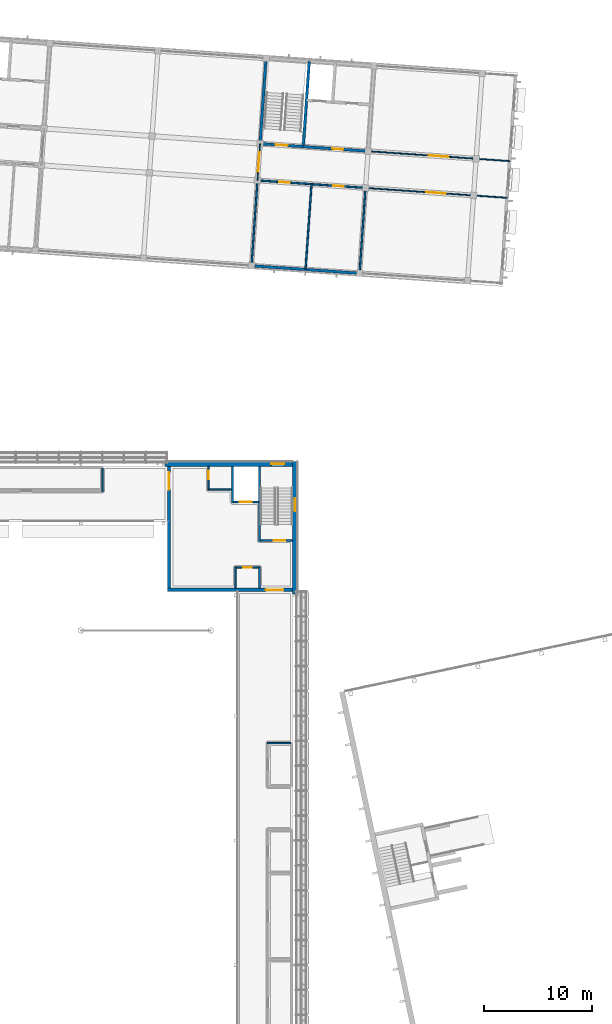
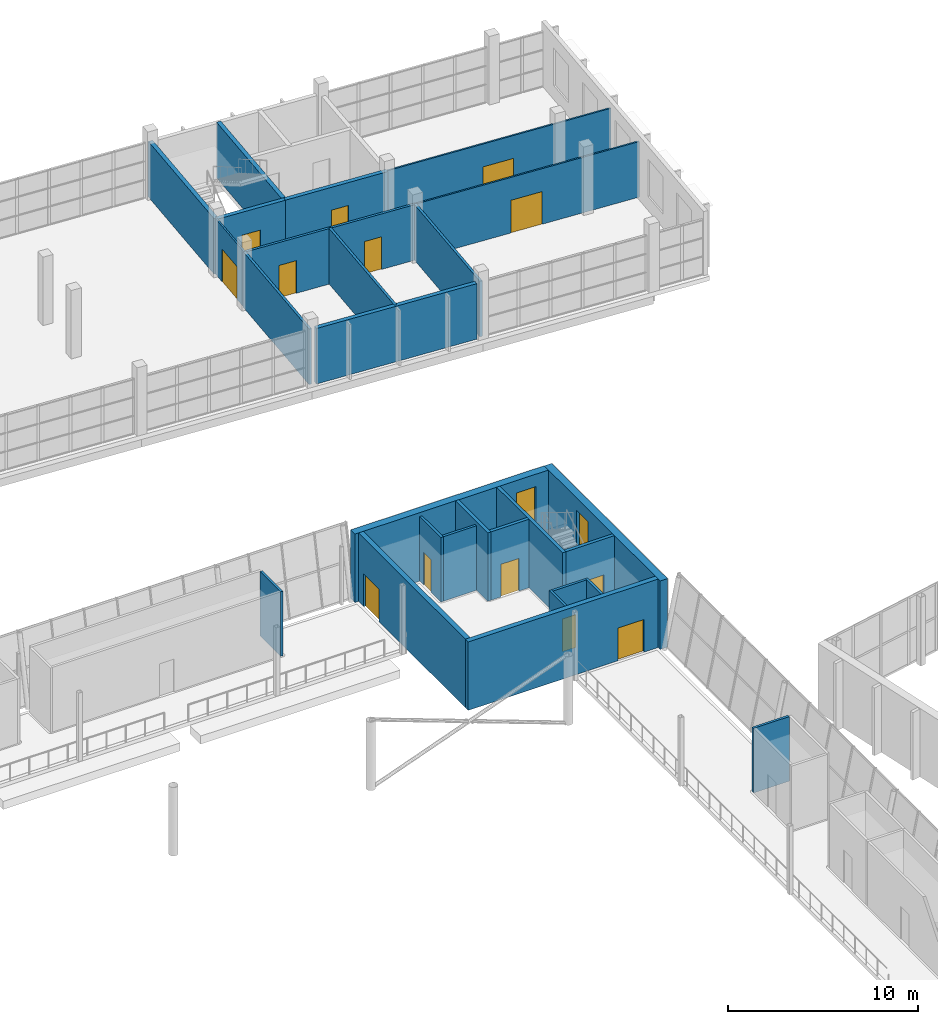
# One storey, part 77 of 115: 27 walls, 13 doors, 2 windows, 15 openings.
"""IFC4 building model written with IfcOpenShell, lengths in metres."""

from ifc_helpers import new_model, si_unit, direction, frame, frame_2d, origin, place, context, subcontext, project, spatial, rectangle, extrude, material, layer, layer_set, type_object, element, fill, save


model = new_model("IFC4")

# Units and contexts
model_context = context("Model", 3, precision=1e-05, world=origin(), true_north=direction((0.0, 1.0)))
body_context = subcontext(model_context, "Body", "Model", "MODEL_VIEW")
ifc_project = project(units=[si_unit("LENGTHUNIT", "METRE"), si_unit("AREAUNIT", "SQUARE_METRE"), si_unit("VOLUMEUNIT", "CUBIC_METRE"), si_unit("PLANEANGLEUNIT", "RADIAN"), si_unit("MASSUNIT", "GRAM", prefix="KILO")], contexts=[model_context])

# Site, building, storey
site_placement = place(None, origin())
site = spatial("IfcSite", under=ifc_project, at=site_placement, CompositionType="ELEMENT")
building_placement = place(site_placement, origin())
building = spatial("IfcBuilding", under=site, at=building_placement, Name="Windward Yard Aquatics Centre", CompositionType="ELEMENT")
storey_placement = place(building_placement, frame((0.0, 0.0, 5.0)))
storey = spatial("IfcBuildingStorey", under=building, at=storey_placement, Name="L01", CompositionType="ELEMENT", Elevation=5.0)

# Wall
ifc_material_1 = material(Name="Concrete C35/45", Category="concrete")
ifc_layer_1 = layer(ifc_material_1, 0.199951171875)
ifc_layer_set_1 = layer_set([ifc_layer_1], Name="H Enclosure Wall Concrete C35/45 200")
wall_type_1 = type_object("IfcWallType", Name="H Enclosure Wall Concrete C35/45 200", PredefinedType="SOLIDWALL", material=ifc_layer_set_1)
wall_1_placement = place(storey_placement, frame((148.5, 95.550048828125, 0.0), z_axis=(0.0, 0.0, 1.0), x_axis=(0.0, -1.0, 0.0)))
element("IfcWall", 1, at=wall_1_placement, inside=storey, type_object=wall_type_1, Name="L01 W1 enclosure wall NE", PredefinedType="SOLIDWALL", context=body_context, shape_type="SweptSolid", body=[
    extrude(rectangle(XDim=6.949951171875, YDim=0.199951171875, at=frame_2d((3.47509765625, 0.0))), origin(), (0.0, 0.0, 1.0), 4.39990234375),
])

# Wall, opening, door
wall_2_placement = place(storey_placement, frame((151.550048828125, 88.699951171875, 0.0), z_axis=(0.0, 0.0, 1.0), x_axis=(-1.0, 0.0, 0.0)))
wall_2 = element("IfcWall", 2, at=wall_2_placement, inside=storey, type_object=wall_type_1, Name="L01 W2 enclosure wall NE", PredefinedType="SOLIDWALL", context=body_context, shape_type="SweptSolid", body=[
    extrude(rectangle(XDim=2.949951171875, YDim=0.199951171875, at=frame_2d((1.47509765625, 0.0))), origin(), (0.0, 0.0, 1.0), 4.39990234375),
])
opening_1_placement = place(wall_2_placement, frame((0.64990234375, 0.0, 0.0)))
opening_1 = element("IfcOpeningElement", 3, at=opening_1_placement, cuts=wall_2, Name="Opening H1019", PredefinedType="OPENING", context=body_context, shape_type="SweptSolid", body=[
    extrude(rectangle(XDim=1.10009765625, YDim=2.10009765625, at=frame_2d((0.550048828125, 1.050048828125))), frame((0.0, 0.10986328125, 0.0), z_axis=(0.0, -1.0, 0.0), x_axis=(1.0, 0.0, 0.0)), (0.0, 0.0, 1.0), 0.219970703125),
])
ifc_material_2 = material(Name="Steel and timber door leaf", Category="steel")
door_type_1 = type_object("IfcDoorType", Name="H Door Single 1100 x 2100 FD60", OperationType="NOTDEFINED", PredefinedType="DOOR", material=ifc_material_2)
door_1_placement = place(opening_1_placement, origin())
door_1 = element("IfcDoor", 4, at=door_1_placement, inside=storey, type_object=door_type_1, Name="L01 stair NE door", OperationType="SINGLE_SWING_RIGHT", OverallHeight=2.10009765625, OverallWidth=1.10009765625, PredefinedType="DOOR", context=body_context, shape_type="SweptSolid", body=[
    extrude(rectangle(XDim=1.10009765625, YDim=2.10009765625, at=frame_2d((0.550048828125, 1.050048828125))), frame((0.0, 0.02490234375, 0.0), z_axis=(0.0, -1.0, 0.0), x_axis=(1.0, 0.0, 0.0)), (0.0, 0.0, 1.0), 0.050048828125),
])
fill(opening_1, door_1)

# Wall
wall_3_placement = place(storey_placement, frame((146.0, 95.550048828125, 0.0), z_axis=(0.0, 0.0, 1.0), x_axis=(0.0, -1.0, 0.0)))
element("IfcWall", 5, at=wall_3_placement, inside=storey, type_object=wall_type_1, Name="L01 W3 enclosure wall NE", PredefinedType="SOLIDWALL", context=body_context, shape_type="SweptSolid", body=[
    extrude(rectangle(XDim=3.400146484375, YDim=0.199951171875, at=frame_2d((1.7001953125, 0.0))), origin(), (0.0, 0.0, 1.0), 4.39990234375),
])

# Wall, opening, door
wall_4_placement = place(storey_placement, frame((148.39990234375, 92.25, 0.0), z_axis=(0.0, 0.0, 1.0), x_axis=(-1.0, 0.0, 0.0)))
wall_4 = element("IfcWall", 6, at=wall_4_placement, inside=storey, type_object=wall_type_1, Name="L01 W4 enclosure wall NE", PredefinedType="SOLIDWALL", context=body_context, shape_type="SweptSolid", body=[
    extrude(rectangle(XDim=2.2998046875, YDim=0.199951171875, at=frame_2d((1.14990234375, 0.0))), origin(), (0.0, 0.0, 1.0), 4.39990234375),
])
opening_2_placement = place(wall_4_placement, frame((0.60009765625, 0.0, 0.0)))
opening_2 = element("IfcOpeningElement", 7, at=opening_2_placement, cuts=wall_4, Name="Opening H1020", PredefinedType="OPENING", context=body_context, shape_type="SweptSolid", body=[
    extrude(rectangle(XDim=1.10009765625, YDim=2.10009765625, at=frame_2d((0.550048828125, 1.050048828125))), frame((0.0, 0.10986328125, 0.0), z_axis=(0.0, -1.0, 0.0), x_axis=(1.0, 0.0, 0.0)), (0.0, 0.0, 1.0), 0.219970703125),
])
ifc_material_3 = material(Name="Stainless steel 1.4301", Category="steel")
door_type_2 = type_object("IfcDoorType", Name="H Lift Landing Door 1100 x 2100", OperationType="DOUBLE_DOOR_SLIDING", PredefinedType="DOOR", material=ifc_material_3)
door_2_placement = place(opening_2_placement, origin())
door_2 = element("IfcDoor", 8, at=door_2_placement, inside=storey, type_object=door_type_2, Name="Lift NE landing door L01", OperationType="DOUBLE_DOOR_SLIDING", OverallHeight=2.10009765625, OverallWidth=1.10009765625, PredefinedType="DOOR", context=body_context, shape_type="SweptSolid", body=[
    extrude(rectangle(XDim=1.10009765625, YDim=2.10009765625, at=frame_2d((0.550048828125, 1.050048828125))), frame((0.0, 0.02490234375, 0.0), z_axis=(0.0, -1.0, 0.0), x_axis=(1.0, 0.0, 0.0)), (0.0, 0.0, 1.0), 0.050048828125),
])
fill(opening_2, door_2)

# Wall
ifc_material_4 = material(Name="Blockwork 150 mm", Category="masonry")
ifc_layer_2 = layer(ifc_material_4, 0.14990234375)
ifc_layer_set_2 = layer_set([ifc_layer_2], Name="H Partition Blockwork 150")
wall_type_2 = type_object("IfcWallType", Name="H Partition Blockwork 150", PredefinedType="PARTITIONING", material=ifc_layer_set_2)
wall_5_placement = place(storey_placement, frame((145.89990234375, 93.39990234375, 0.0), z_axis=(0.0, 0.0, 1.0), x_axis=(-1.0, 0.0, 0.0)))
element("IfcWall", 9, at=wall_5_placement, inside=storey, type_object=wall_type_2, Name="L01 R1N riser wall NE", PredefinedType="PARTITIONING", context=body_context, shape_type="SweptSolid", body=[
    extrude(rectangle(XDim=2.02490234375, YDim=0.14990234375, at=frame_2d((1.012451171875, 0.0))), origin(), (0.0, 0.0, 1.0), 4.14990234375),
])

# Wall, opening, door
wall_6_placement = place(storey_placement, frame((143.800048828125, 95.550048828125, 0.0), z_axis=(0.0, 0.0, 1.0), x_axis=(0.0, -1.0, 0.0)))
wall_6 = element("IfcWall", 10, at=wall_6_placement, inside=storey, type_object=wall_type_2, Name="L01 R1E riser wall NE", PredefinedType="PARTITIONING", context=body_context, shape_type="SweptSolid", body=[
    extrude(rectangle(XDim=2.22509765625, YDim=0.14990234375, at=frame_2d((1.112548828125, 0.0))), origin(), (0.0, 0.0, 1.0), 4.14990234375),
])
opening_3_placement = place(wall_6_placement, frame((0.39990234375, 0.0, 0.0)))
opening_3 = element("IfcOpeningElement", 11, at=opening_3_placement, cuts=wall_6, Name="Opening H1021", PredefinedType="OPENING", context=body_context, shape_type="SweptSolid", body=[
    extrude(rectangle(XDim=0.800048828125, YDim=2.10009765625, at=frame_2d((0.39990234375, 1.050048828125))), frame((0.0, 0.0849609375, 0.0), z_axis=(0.0, -1.0, 0.0), x_axis=(1.0, 0.0, 0.0)), (0.0, 0.0, 1.0), 0.169921875),
])
door_type_3 = type_object("IfcDoorType", Name="H Door Riser 800 x 2100 FD60", OperationType="NOTDEFINED", PredefinedType="DOOR", material=ifc_material_2)
door_3_placement = place(opening_3_placement, origin())
door_3 = element("IfcDoor", 12, at=door_3_placement, inside=storey, type_object=door_type_3, Name="L01 electrical riser NE door", OperationType="SINGLE_SWING_LEFT", OverallHeight=2.10009765625, OverallWidth=0.800048828125, PredefinedType="DOOR", context=body_context, shape_type="SweptSolid", body=[
    extrude(rectangle(XDim=0.800048828125, YDim=2.10009765625, at=frame_2d((0.39990234375, 1.050048828125))), frame((0.0, 0.02490234375, 0.0), z_axis=(0.0, -1.0, 0.0), x_axis=(1.0, 0.0, 0.0)), (0.0, 0.0, 1.0), 0.050048828125),
])
fill(opening_3, door_3)

wall_7_placement = place(storey_placement, frame((148.425048828125, 86.199951171875, 0.0), z_axis=(0.0, 0.0, 1.0), x_axis=(-1.0, 0.0, 0.0)))
wall_7 = element("IfcWall", 13, at=wall_7_placement, inside=storey, type_object=wall_type_2, Name="L01 R2S riser wall NE", PredefinedType="PARTITIONING", context=body_context, shape_type="SweptSolid", body=[
    extrude(rectangle(XDim=2.050048828125, YDim=0.14990234375, at=frame_2d((1.02490234375, 0.0))), origin(), (0.0, 0.0, 1.0), 4.14990234375),
])
opening_4_placement = place(wall_7_placement, frame((0.625, 0.0, 0.0)))
opening_4 = element("IfcOpeningElement", 14, at=opening_4_placement, cuts=wall_7, Name="Opening H1022", PredefinedType="OPENING", context=body_context, shape_type="SweptSolid", body=[
    extrude(rectangle(XDim=0.800048828125, YDim=2.10009765625, at=frame_2d((0.39990234375, 1.050048828125))), frame((0.0, 0.0849609375, 0.0), z_axis=(0.0, -1.0, 0.0), x_axis=(1.0, 0.0, 0.0)), (0.0, 0.0, 1.0), 0.169921875),
])
door_4_placement = place(opening_4_placement, origin())
door_4 = element("IfcDoor", 15, at=door_4_placement, inside=storey, type_object=door_type_3, Name="L01 communications riser NE door", OperationType="SINGLE_SWING_RIGHT", OverallHeight=2.10009765625, OverallWidth=0.800048828125, PredefinedType="DOOR", context=body_context, shape_type="SweptSolid", body=[
    extrude(rectangle(XDim=0.800048828125, YDim=2.10009765625, at=frame_2d((0.39990234375, 1.050048828125))), frame((0.0, 0.02490234375, 0.0), z_axis=(0.0, -1.0, 0.0), x_axis=(1.0, 0.0, 0.0)), (0.0, 0.0, 1.0), 0.050048828125),
])
fill(opening_4, door_4)

# Walls
for number, where, z_axis, x_axis, name in (
    (16, (148.5, 86.27490234375, 0.0), (0.0, 0.0, 1.0), (0.0, -1.0, 0.0), "L01 R2W riser wall NE"),
    (17, (146.300048828125, 86.27490234375, 0.0), (0.0, 0.0, 1.0), (0.0, -1.0, 0.0), "L01 R2E riser wall NE"),
):
    element("IfcWall", number, at=place(storey_placement, frame(where, z_axis=z_axis, x_axis=x_axis)), inside=storey, type_object=wall_type_2, Name=name, PredefinedType="PARTITIONING", context=body_context, shape_type="SweptSolid", body=[
        extrude(rectangle(XDim=1.974853515625, YDim=0.14990234375, at=frame_2d((0.9873046875, 0.0))), origin(), (0.0, 0.0, 1.0), 4.14990234375),
    ])
for number, where, z_axis, x_axis, name in (
    (18, (134.0, 95.39990234375, 0.0), (0.0, 0.0, 1.0), (0.0, -1.0, 0.0), "L01 partition Cafe Counter"),
    (19, (151.39990234375, 70.0, 0.0), (0.0, 0.0, 1.0), (-1.0, 0.0, 0.0), "L01 partition Cleaner's Store"),
):
    element("IfcWall", number, at=place(storey_placement, frame(where, z_axis=z_axis, x_axis=x_axis)), inside=storey, type_object=wall_type_2, Name=name, PredefinedType="PARTITIONING", context=body_context, shape_type="SweptSolid", body=[
        extrude(rectangle(XDim=2.1748046875, YDim=0.14990234375, at=frame_2d((1.08740234375, 0.0))), origin(), (0.0, 0.0, 1.0), 4.14990234375),
    ])

# Wall, opening, window
ifc_material_5 = material(Name="Natural stone cladding", Category="masonry")
ifc_layer_3 = layer(ifc_material_5, 0.04, Name="Cladding")
ifc_material_6 = material(Name="Ventilated air cavity")
ifc_layer_4 = layer(ifc_material_6, 0.05, ventilated=True, Name="Ventilated cavity")
ifc_material_7 = material(Name="Mineral wool insulation")
ifc_layer_5 = layer(ifc_material_7, 0.08, Name="Insulation")
ifc_layer_6 = layer(ifc_material_1, 0.28, Name="Structure")
ifc_layer_set_3 = layer_set([ifc_layer_3, ifc_layer_4, ifc_layer_5, ifc_layer_6], Name="H plinth wall stone faced 450 C35/45")
wall_type_3 = type_object("IfcWallType", Name="H plinth wall stone faced 450 C35/45", PredefinedType="ELEMENTEDWALL", material=ifc_layer_set_3)
wall_8_placement = place(storey_placement, frame((151.77490234375, 96.0, 0.0), z_axis=(0.0, 0.0, 1.0), x_axis=(0.0, -1.0, 0.0)))
wall_8 = element("IfcWall", 20, at=wall_8_placement, inside=storey, type_object=wall_type_3, Name="H.CW.NE.E.L01", PredefinedType="ELEMENTEDWALL", context=body_context, shape_type="SweptSolid", body=[
    extrude(rectangle(XDim=12.214111328125, YDim=0.449951171875, at=frame_2d((6.10693359375, 0.0))), origin(), (0.0, 0.0, 1.0), 4.39990234375),
])
opening_5_placement = place(wall_8_placement, frame((3.39990234375, 0.0, 0.60009765625)))
opening_5 = element("IfcOpeningElement", 21, at=opening_5_placement, cuts=wall_8, Name="Opening W1081", PredefinedType="OPENING", context=body_context, shape_type="SweptSolid", body=[
    extrude(rectangle(XDim=1.199951171875, YDim=3.0, at=frame_2d((0.60009765625, 1.5))), frame((0.0, 0.23486328125, 0.0), z_axis=(0.0, -1.0, 0.0), x_axis=(1.0, 0.0, 0.0)), (0.0, 0.0, 1.0), 0.469970703125),
])
ifc_material_8 = material(Name="Fire-resisting glazing in steel frame", Category="steel")
window_type = type_object("IfcWindowType", Name="H Core Stair Window 1200 x 3000 EI 60", PartitioningType="SINGLE_PANEL", PredefinedType="WINDOW", material=ifc_material_8)
window_1_placement = place(opening_5_placement, origin())
window_1 = element("IfcWindow", 22, at=window_1_placement, inside=storey, type_object=window_type, Name="L01 core NE stair window", OverallHeight=3.0, OverallWidth=1.199951171875, PartitioningType="SINGLE_PANEL", PredefinedType="WINDOW", context=body_context, shape_type="SweptSolid", body=[
    extrude(rectangle(XDim=1.199951171875, YDim=3.0, at=frame_2d((0.60009765625, 1.5))), frame((0.0, 0.030029296875, 0.0), z_axis=(0.0, -1.0, 0.0), x_axis=(1.0, 0.0, 0.0)), (0.0, 0.0, 1.0), 0.06005859375),
])
fill(opening_5, window_1)

wall_9_placement = place(storey_placement, frame((151.550048828125, 95.77490234375, 0.0), z_axis=(0.0, 0.0, 1.0), x_axis=(-1.0, 0.0, 0.0)))
wall_9 = element("IfcWall", 23, at=wall_9_placement, inside=storey, type_object=wall_type_3, Name="H.CW.NE.N.L01", PredefinedType="ELEMENTEDWALL", context=body_context, shape_type="SweptSolid", body=[
    extrude(rectangle(XDim=11.76416015625, YDim=0.449951171875, at=frame_2d((5.882080078125, 0.0))), origin(), (0.0, 0.0, 1.0), 4.39990234375),
])
opening_6_placement = place(wall_9_placement, frame((0.75, 0.0, 0.60009765625)))
opening_6 = element("IfcOpeningElement", 24, at=opening_6_placement, cuts=wall_9, Name="Opening W1082", PredefinedType="OPENING", context=body_context, shape_type="SweptSolid", body=[
    extrude(rectangle(XDim=1.199951171875, YDim=3.0, at=frame_2d((0.60009765625, 1.5))), frame((0.0, 0.23486328125, 0.0), z_axis=(0.0, -1.0, 0.0), x_axis=(1.0, 0.0, 0.0)), (0.0, 0.0, 1.0), 0.469970703125),
])
window_2_placement = place(opening_6_placement, origin())
window_2 = element("IfcWindow", 25, at=window_2_placement, inside=storey, type_object=window_type, Name="L01 core NE stair window", OverallHeight=3.0, OverallWidth=1.199951171875, PartitioningType="SINGLE_PANEL", PredefinedType="WINDOW", context=body_context, shape_type="SweptSolid", body=[
    extrude(rectangle(XDim=1.199951171875, YDim=3.0, at=frame_2d((0.60009765625, 1.5))), frame((0.0, 0.030029296875, 0.0), z_axis=(0.0, -1.0, 0.0), x_axis=(1.0, 0.0, 0.0)), (0.0, 0.0, 1.0), 0.06005859375),
])
fill(opening_6, window_2)

# Wall, opening, door
ifc_layer_7 = layer(ifc_material_1, 0.300048828125)
ifc_layer_set_4 = layer_set([ifc_layer_7], Name="H rear wall 300 C35/45")
wall_type_4 = type_object("IfcWallType", Name="H rear wall 300 C35/45", PredefinedType="SOLIDWALL", material=ifc_layer_set_4)
wall_10_placement = place(storey_placement, frame((140.14990234375, 95.550048828125, 0.0), z_axis=(0.0, 0.0, 1.0), x_axis=(0.0, -1.0, 0.0)))
wall_10 = element("IfcWall", 26, at=wall_10_placement, inside=storey, type_object=wall_type_4, Name="H.CW.NE.W.L01", PredefinedType="SOLIDWALL", context=body_context, shape_type="SweptSolid", body=[
    extrude(rectangle(XDim=11.25, YDim=0.300048828125, at=frame_2d((5.625, 0.0))), origin(), (0.0, 0.0, 1.0), 4.39990234375),
])
opening_7_placement = place(wall_10_placement, frame((0.550048828125, 0.0, 0.0)))
opening_7 = element("IfcOpeningElement", 27, at=opening_7_placement, cuts=wall_10, Name="Opening H1023", PredefinedType="OPENING", context=body_context, shape_type="SweptSolid", body=[
    extrude(rectangle(XDim=1.60009765625, YDim=2.10009765625, at=frame_2d((0.800048828125, 1.050048828125))), frame((0.0, 0.16015625, 0.0), z_axis=(0.0, -1.0, 0.0), x_axis=(1.0, 0.0, 0.0)), (0.0, 0.0, 1.0), 0.320068359375),
])
door_type_4 = type_object("IfcDoorType", Name="H Door Double 1600 x 2100 FD60", OperationType="DOUBLE_DOOR_SINGLE_SWING", PredefinedType="DOOR", material=ifc_material_2)
door_5_placement = place(opening_7_placement, origin())
door_5 = element("IfcDoor", 28, at=door_5_placement, inside=storey, type_object=door_type_4, Name="L01 core NE door to strip", OperationType="DOUBLE_DOOR_SINGLE_SWING", OverallHeight=2.10009765625, OverallWidth=1.60009765625, PredefinedType="DOOR", context=body_context, shape_type="SweptSolid", body=[
    extrude(rectangle(XDim=1.60009765625, YDim=2.10009765625, at=frame_2d((0.800048828125, 1.050048828125))), frame((0.0, 0.02490234375, 0.0), z_axis=(0.0, -1.0, 0.0), x_axis=(1.0, 0.0, 0.0)), (0.0, 0.0, 1.0), 0.050048828125),
])
fill(opening_7, door_5)

wall_11_placement = place(storey_placement, frame((151.550048828125, 84.14990234375, 0.0), z_axis=(0.0, 0.0, 1.0), x_axis=(-1.0, 0.0, 0.0)))
wall_11 = element("IfcWall", 29, at=wall_11_placement, inside=storey, type_object=wall_type_4, Name="H.CW.NE.S.L01", PredefinedType="SOLIDWALL", context=body_context, shape_type="SweptSolid", body=[
    extrude(rectangle(XDim=11.550048828125, YDim=0.300048828125, at=frame_2d((5.77490234375, 0.0))), origin(), (0.0, 0.0, 1.0), 4.39990234375),
])
opening_8_placement = place(wall_11_placement, frame((0.85009765625, 0.0, 0.0)))
opening_8 = element("IfcOpeningElement", 30, at=opening_8_placement, cuts=wall_11, Name="Opening H1024", PredefinedType="OPENING", context=body_context, shape_type="SweptSolid", body=[
    extrude(rectangle(XDim=1.60009765625, YDim=2.10009765625, at=frame_2d((0.800048828125, 1.050048828125))), frame((0.0, 0.16015625, 0.0), z_axis=(0.0, -1.0, 0.0), x_axis=(1.0, 0.0, 0.0)), (0.0, 0.0, 1.0), 0.320068359375),
])
door_6_placement = place(opening_8_placement, origin())
door_6 = element("IfcDoor", 31, at=door_6_placement, inside=storey, type_object=door_type_4, Name="L01 core NE door to gable", OperationType="DOUBLE_DOOR_SINGLE_SWING", OverallHeight=2.10009765625, OverallWidth=1.60009765625, PredefinedType="DOOR", context=body_context, shape_type="SweptSolid", body=[
    extrude(rectangle(XDim=1.60009765625, YDim=2.10009765625, at=frame_2d((0.800048828125, 1.050048828125))), frame((0.0, 0.02490234375, 0.0), z_axis=(0.0, -1.0, 0.0), x_axis=(1.0, 0.0, 0.0)), (0.0, 0.0, 1.0), 0.050048828125),
])
fill(opening_8, door_6)

# Walls
ifc_material_9 = material(Name="Concrete C40/50", Category="concrete")
ifc_layer_8 = layer(ifc_material_9, 0.25)
ifc_layer_set_5 = layer_set([ifc_layer_8], Name="W RC core wall 250 Concrete C40/50")
wall_type_5 = type_object("IfcWallType", Name="W RC core wall 250 Concrete C40/50", PredefinedType="SOLIDWALL", material=ifc_layer_set_5)
for number, where, z_axis, x_axis, name in (
    (32, (148.553955078125, 125.347412109375, 0.0), (0.0, 0.0, 1.0), (0.069751320509, 0.997564410596, 0.0), "W.WL.L01.013"),
    (33, (152.544189453125, 125.068359375, 0.0), (0.0, 0.0, 1.0), (0.069782074492, 0.997562259751, 0.0), "W.WL.L01.014"),
):
    element("IfcWall", number, at=place(storey_placement, frame(where, z_axis=z_axis, x_axis=x_axis)), inside=storey, type_object=wall_type_5, Name=name, PredefinedType="SOLIDWALL", context=body_context, shape_type="SweptSolid", body=[
        extrude(rectangle(XDim=7.89990234375, YDim=0.25, at=frame_2d((3.949951171875, 0.0))), origin(), (0.0, 0.0, 1.0), 3.570068359375),
    ])

# Wall, opening, door
wall_12_placement = place(storey_placement, frame((148.553955078125, 125.347412109375, 0.0), z_axis=(0.0, 0.0, 1.0), x_axis=(0.997563556766, -0.069763530677, 0.0)))
wall_12 = element("IfcWall", 34, at=wall_12_placement, inside=storey, type_object=wall_type_5, Name="W.WL.L01.024", PredefinedType="SOLIDWALL", context=body_context, shape_type="SweptSolid", body=[
    extrude(rectangle(XDim=4.0, YDim=0.25, at=frame_2d((2.0, 0.0))), origin(), (0.0, 0.0, 1.0), 3.570068359375),
])
opening_9_placement = place(wall_12_placement, frame((1.449951171875, 0.0, 0.0)))
opening_9 = element("IfcOpeningElement", 35, at=opening_9_placement, cuts=wall_12, Name="Opening W1015", PredefinedType="OPENING", context=body_context, shape_type="SweptSolid", body=[
    extrude(rectangle(XDim=1.10009765625, YDim=2.10009765625, at=frame_2d((0.550048828125, 1.050048828125))), frame((0.0, 0.135009765625, 0.0), z_axis=(0.0, -1.0, 0.0), x_axis=(1.0, 0.0, 0.0)), (0.0, 0.0, 1.0), 0.27001953125),
])
ifc_material_10 = material(Name="Steel fire door leaf", Category="steel")
door_type_5 = type_object("IfcDoorType", Name="W stair door FD60 1100x2100", OperationType="SINGLE_SWING_LEFT", PredefinedType="DOOR", material=ifc_material_10)
door_7_placement = place(opening_9_placement, origin())
door_7 = element("IfcDoor", 36, at=door_7_placement, inside=storey, type_object=door_type_5, Name="W.DRI.L01.015", OperationType="SINGLE_SWING_RIGHT", OverallHeight=2.10009765625, OverallWidth=1.10009765625, PredefinedType="DOOR", context=body_context, shape_type="SweptSolid", body=[
    extrude(rectangle(XDim=1.10009765625, YDim=2.10009765625, at=frame_2d((0.550048828125, 1.050048828125))), frame((0.0, 0.02490234375, 0.0), z_axis=(0.0, -1.0, 0.0), x_axis=(1.0, 0.0, 0.0)), (0.0, 0.0, 1.0), 0.050048828125),
])
fill(opening_9, door_7)

wall_13_placement = place(storey_placement, frame((152.544189453125, 125.068359375, 0.0), z_axis=(0.0, 0.0, 1.0), x_axis=(0.997562338811, -0.069780944286, 0.0)))
wall_13 = element("IfcWall", 37, at=wall_13_placement, inside=storey, type_object=wall_type_5, Name="W.WL.L01.025", PredefinedType="SOLIDWALL", context=body_context, shape_type="SweptSolid", body=[
    extrude(rectangle(XDim=6.000244140625, YDim=0.25, at=frame_2d((3.0, 0.0))), origin(), (0.0, 0.0, 1.0), 3.570068359375),
])
opening_10_placement = place(wall_13_placement, frame((2.699951171875, 0.0, 0.0)))
opening_10 = element("IfcOpeningElement", 38, at=opening_10_placement, cuts=wall_13, Name="Opening W1016", PredefinedType="OPENING", context=body_context, shape_type="SweptSolid", body=[
    extrude(rectangle(XDim=1.0, YDim=2.10009765625, at=frame_2d((0.5, 1.050048828125))), frame((0.0, 0.135009765625, 0.0), z_axis=(0.0, -1.0, 0.0), x_axis=(1.0, 0.0, 0.0)), (0.0, 0.0, 1.0), 0.27001953125),
])
door_type_6 = type_object("IfcDoorType", Name="W fire door FD60 1000x2100", OperationType="SINGLE_SWING_LEFT", PredefinedType="DOOR", material=ifc_material_10)
door_8_placement = place(opening_10_placement, origin())
door_8 = element("IfcDoor", 39, at=door_8_placement, inside=storey, type_object=door_type_6, Name="W.DRI.L01.016", OperationType="SINGLE_SWING_LEFT", OverallHeight=2.10009765625, OverallWidth=1.0, PredefinedType="DOOR", context=body_context, shape_type="SweptSolid", body=[
    extrude(rectangle(XDim=1.0, YDim=2.10009765625, at=frame_2d((0.5, 1.050048828125))), frame((0.0, 0.02490234375, 0.0), z_axis=(0.0, -1.0, 0.0), x_axis=(1.0, 0.0, 0.0)), (0.0, 0.0, 1.0), 0.050048828125),
])
fill(opening_10, door_8)

# Wall
ifc_layer_9 = layer(ifc_material_9, 0.25)
ifc_layer_set_6 = layer_set([ifc_layer_9], Name="W facade wall 250 Precast Concrete C40/50")
wall_type_6 = type_object("IfcWallType", Name="W facade wall 250 Precast Concrete C40/50", PredefinedType="SOLIDWALL", material=ifc_layer_set_6)
wall_14_placement = place(storey_placement, frame((148.065185546875, 114.053955078125, 0.0), z_axis=(0.0, 0.0, 1.0), x_axis=(0.997563596579, -0.069762961373, 0.0)))
element("IfcWall", 40, at=wall_14_placement, inside=storey, type_object=wall_type_6, Name="W.FW.L01.S.76.8", PredefinedType="SOLIDWALL", context=body_context, shape_type="SweptSolid", body=[
    extrude(rectangle(XDim=9.39990234375, YDim=0.25, at=frame_2d((4.699951171875, 0.0))), origin(), (0.0, 0.0, 1.0), 3.570068359375),
])

# Wall, opening, door
ifc_material_11 = material(Name="Plasterboard on steel stud partition", Category="steel")
ifc_layer_10 = layer(ifc_material_11, 0.10009765625)
ifc_layer_set_7 = layer_set([ifc_layer_10], Name="W partition 100")
wall_type_7 = type_object("IfcWallType", Name="W partition 100", PredefinedType="PARTITIONING", material=ifc_layer_set_7)
wall_15_placement = place(storey_placement, frame((148.31689453125, 121.95556640625, 0.0), z_axis=(0.0, 0.0, 1.0), x_axis=(0.069721232637, 0.997566513933, 0.0)))
wall_15 = element("IfcWall", 41, at=wall_15_placement, inside=storey, type_object=wall_type_7, Name="W.WL.L01.012", PredefinedType="PARTITIONING", context=body_context, shape_type="SweptSolid", body=[
    extrude(rectangle(XDim=3.400146484375, YDim=0.10009765625, at=frame_2d((1.7001953125, 0.0))), origin(), (0.0, 0.0, 1.0), 3.570068359375),
])
opening_11_placement = place(wall_15_placement, frame((0.800048828125, 0.0, 0.0)))
opening_11 = element("IfcOpeningElement", 42, at=opening_11_placement, cuts=wall_15, Name="Opening W1006", PredefinedType="OPENING", context=body_context, shape_type="SweptSolid", body=[
    extrude(rectangle(XDim=1.800048828125, YDim=2.10009765625, at=frame_2d((0.89990234375, 1.050048828125))), frame((0.0, 0.06005859375, 0.0), z_axis=(0.0, -1.0, 0.0), x_axis=(1.0, 0.0, 0.0)), (0.0, 0.0, 1.0), 0.1201171875),
])
ifc_material_12 = material(Name="Timber door leaf", Category="wood")
door_type_7 = type_object("IfcDoorType", Name="W double door 1800x2100", OperationType="DOUBLE_DOOR_SINGLE_SWING", PredefinedType="DOOR", material=ifc_material_12)
door_9_placement = place(opening_11_placement, origin())
door_9 = element("IfcDoor", 43, at=door_9_placement, inside=storey, type_object=door_type_7, Name="W.DRI.L01.006", OperationType="DOUBLE_DOOR_SINGLE_SWING", OverallHeight=2.10009765625, OverallWidth=1.800048828125, PredefinedType="DOOR", context=body_context, shape_type="SweptSolid", body=[
    extrude(rectangle(XDim=1.800048828125, YDim=2.10009765625, at=frame_2d((0.89990234375, 1.050048828125))), frame((0.0, 0.02490234375, 0.0), z_axis=(0.0, -1.0, 0.0), x_axis=(1.0, 0.0, 0.0)), (0.0, 0.0, 1.0), 0.050048828125),
])
fill(opening_11, door_9)

wall_16_placement = place(storey_placement, frame((158.29248046875, 121.258056640625, 0.0), z_axis=(0.0, 0.0, 1.0), x_axis=(0.997564014548, -0.069756984446, 0.0)))
wall_16 = element("IfcWall", 44, at=wall_16_placement, inside=storey, type_object=wall_type_7, Name="W.WL.L01.021", PredefinedType="PARTITIONING", context=body_context, shape_type="SweptSolid", body=[
    extrude(rectangle(XDim=13.10009765625, YDim=0.10009765625, at=frame_2d((6.550048828125, 0.0))), origin(), (0.0, 0.0, 1.0), 3.570068359375),
])
opening_12_placement = place(wall_16_placement, frame((5.60009765625, 0.0, 0.0)))
opening_12 = element("IfcOpeningElement", 45, at=opening_12_placement, cuts=wall_16, Name="Opening W1010", PredefinedType="OPENING", context=body_context, shape_type="SweptSolid", body=[
    extrude(rectangle(XDim=1.800048828125, YDim=2.10009765625, at=frame_2d((0.89990234375, 1.050048828125))), frame((0.0, 0.06005859375, 0.0), z_axis=(0.0, -1.0, 0.0), x_axis=(1.0, 0.0, 0.0)), (0.0, 0.0, 1.0), 0.1201171875),
])
door_10_placement = place(opening_12_placement, origin())
door_10 = element("IfcDoor", 46, at=door_10_placement, inside=storey, type_object=door_type_7, Name="W.DRI.L01.010", OperationType="DOUBLE_DOOR_SINGLE_SWING", OverallHeight=2.10009765625, OverallWidth=1.800048828125, PredefinedType="DOOR", context=body_context, shape_type="SweptSolid", body=[
    extrude(rectangle(XDim=1.800048828125, YDim=2.10009765625, at=frame_2d((0.89990234375, 1.050048828125))), frame((0.0, 0.02490234375, 0.0), z_axis=(0.0, -1.0, 0.0), x_axis=(1.0, 0.0, 0.0)), (0.0, 0.0, 1.0), 0.050048828125),
])
fill(opening_12, door_10)

wall_17_placement = place(storey_placement, frame((158.52978515625, 124.649658203125, 0.0), z_axis=(0.0, 0.0, 1.0), x_axis=(0.997564014548, -0.069756984446, 0.0)))
wall_17 = element("IfcWall", 47, at=wall_17_placement, inside=storey, type_object=wall_type_7, Name="W.WL.L01.026", PredefinedType="PARTITIONING", context=body_context, shape_type="SweptSolid", body=[
    extrude(rectangle(XDim=13.10009765625, YDim=0.10009765625, at=frame_2d((6.550048828125, 0.0))), origin(), (0.0, 0.0, 1.0), 3.570068359375),
])
opening_13_placement = place(wall_17_placement, frame((5.60009765625, 0.0, 0.0)))
opening_13 = element("IfcOpeningElement", 48, at=opening_13_placement, cuts=wall_17, Name="Opening W1009", PredefinedType="OPENING", context=body_context, shape_type="SweptSolid", body=[
    extrude(rectangle(XDim=1.800048828125, YDim=2.10009765625, at=frame_2d((0.89990234375, 1.050048828125))), frame((0.0, 0.06005859375, 0.0), z_axis=(0.0, -1.0, 0.0), x_axis=(1.0, 0.0, 0.0)), (0.0, 0.0, 1.0), 0.1201171875),
])
door_11_placement = place(opening_13_placement, origin())
door_11 = element("IfcDoor", 49, at=door_11_placement, inside=storey, type_object=door_type_7, Name="W.DRI.L01.009", OperationType="DOUBLE_DOOR_SINGLE_SWING", OverallHeight=2.10009765625, OverallWidth=1.800048828125, PredefinedType="DOOR", context=body_context, shape_type="SweptSolid", body=[
    extrude(rectangle(XDim=1.800048828125, YDim=2.10009765625, at=frame_2d((0.89990234375, 1.050048828125))), frame((0.0, 0.02490234375, 0.0), z_axis=(0.0, -1.0, 0.0), x_axis=(1.0, 0.0, 0.0)), (0.0, 0.0, 1.0), 0.050048828125),
])
fill(opening_13, door_11)

# Walls
ifc_material_13 = material(Name="Blockwork partition with tiled finish", Category="masonry")
ifc_layer_11 = layer(ifc_material_13, 0.14990234375)
ifc_layer_set_8 = layer_set([ifc_layer_11], Name="W partition 150 wet area")
wall_type_8 = type_object("IfcWallType", Name="W partition 150 wet area", PredefinedType="PARTITIONING", material=ifc_layer_set_8)
wall_18_placement = place(storey_placement, frame((147.765869140625, 114.07470703125, 0.0), z_axis=(0.0, 0.0, 1.0), x_axis=(0.0697491702, 0.997564560947, 0.0)))
element("IfcWall", 50, at=wall_18_placement, inside=storey, type_object=wall_type_8, Name="W.WL.L01.011", PredefinedType="PARTITIONING", context=body_context, shape_type="SweptSolid", body=[
    extrude(rectangle(XDim=7.900146484375, YDim=0.14990234375, at=frame_2d((3.9501953125, 0.0))), origin(), (0.0, 0.0, 1.0), 3.570068359375),
])
wall_19_placement = place(storey_placement, frame((152.753662109375, 113.72607421875, 0.0), z_axis=(0.0, 0.0, 1.0), x_axis=(0.069751320509, 0.997564410596, 0.0)))
element("IfcWall", 51, at=wall_19_placement, inside=storey, type_object=wall_type_8, Name="W.WL.L01.015", PredefinedType="PARTITIONING", context=body_context, shape_type="SweptSolid", body=[
    extrude(rectangle(XDim=7.89990234375, YDim=0.14990234375, at=frame_2d((3.949951171875, 0.0))), origin(), (0.0, 0.0, 1.0), 3.570068359375),
])
wall_20_placement = place(storey_placement, frame((157.741455078125, 113.377197265625, 0.0), z_axis=(0.0, 0.0, 1.0), x_axis=(0.0697491702, 0.997564560947, 0.0)))
element("IfcWall", 52, at=wall_20_placement, inside=storey, type_object=wall_type_8, Name="W.WL.L01.017", PredefinedType="PARTITIONING", context=body_context, shape_type="SweptSolid", body=[
    extrude(rectangle(XDim=7.900146484375, YDim=0.14990234375, at=frame_2d((3.9501953125, 0.0))), origin(), (0.0, 0.0, 1.0), 3.570068359375),
])

# Wall, openings, doors
wall_21_placement = place(storey_placement, frame((148.31689453125, 121.95556640625, 0.0), z_axis=(0.0, 0.0, 1.0), x_axis=(0.997564406228, -0.069751382981, 0.0)))
wall_21 = element("IfcWall", 53, at=wall_21_placement, inside=storey, type_object=wall_type_8, Name="W.WL.L01.020", PredefinedType="PARTITIONING", context=body_context, shape_type="SweptSolid", body=[
    extrude(rectangle(XDim=10.0, YDim=0.14990234375, at=frame_2d((5.0, 0.0))), origin(), (0.0, 0.0, 1.0), 3.570068359375),
])
opening_14_placement = place(wall_21_placement, frame((2.0, 0.0, 0.0)))
opening_14 = element("IfcOpeningElement", 54, at=opening_14_placement, cuts=wall_21, Name="Opening W1007", PredefinedType="OPENING", context=body_context, shape_type="SweptSolid", body=[
    extrude(rectangle(XDim=1.0, YDim=2.10009765625, at=frame_2d((0.5, 1.050048828125))), frame((0.0, 0.0849609375, 0.0), z_axis=(0.0, -1.0, 0.0), x_axis=(1.0, 0.0, 0.0)), (0.0, 0.0, 1.0), 0.169921875),
])
opening_15_placement = place(wall_21_placement, frame((7.0, 0.0, 0.0)))
opening_15 = element("IfcOpeningElement", 55, at=opening_15_placement, cuts=wall_21, Name="Opening W1008", PredefinedType="OPENING", context=body_context, shape_type="SweptSolid", body=[
    extrude(rectangle(XDim=1.0, YDim=2.10009765625, at=frame_2d((0.5, 1.050048828125))), frame((0.0, 0.0849609375, 0.0), z_axis=(0.0, -1.0, 0.0), x_axis=(1.0, 0.0, 0.0)), (0.0, 0.0, 1.0), 0.169921875),
])
door_type_8 = type_object("IfcDoorType", Name="W door 1000x2100", OperationType="SINGLE_SWING_LEFT", PredefinedType="DOOR", material=ifc_material_12)
door_12_placement = place(opening_14_placement, origin())
door_12 = element("IfcDoor", 56, at=door_12_placement, inside=storey, type_object=door_type_8, Name="W.DRI.L01.007", OperationType="SINGLE_SWING_RIGHT", OverallHeight=2.10009765625, OverallWidth=1.0, PredefinedType="DOOR", context=body_context, shape_type="SweptSolid", body=[
    extrude(rectangle(XDim=1.0, YDim=2.10009765625, at=frame_2d((0.5, 1.050048828125))), frame((0.0, 0.02490234375, 0.0), z_axis=(0.0, -1.0, 0.0), x_axis=(1.0, 0.0, 0.0)), (0.0, 0.0, 1.0), 0.050048828125),
])
fill(opening_14, door_12)
door_13_placement = place(opening_15_placement, origin())
door_13 = element("IfcDoor", 57, at=door_13_placement, inside=storey, type_object=door_type_8, Name="W.DRI.L01.008", OperationType="SINGLE_SWING_LEFT", OverallHeight=2.10009765625, OverallWidth=1.0, PredefinedType="DOOR", context=body_context, shape_type="SweptSolid", body=[
    extrude(rectangle(XDim=1.0, YDim=2.10009765625, at=frame_2d((0.5, 1.050048828125))), frame((0.0, 0.02490234375, 0.0), z_axis=(0.0, -1.0, 0.0), x_axis=(1.0, 0.0, 0.0)), (0.0, 0.0, 1.0), 0.050048828125),
])
fill(opening_15, door_13)

save(model, "model.ifc")
